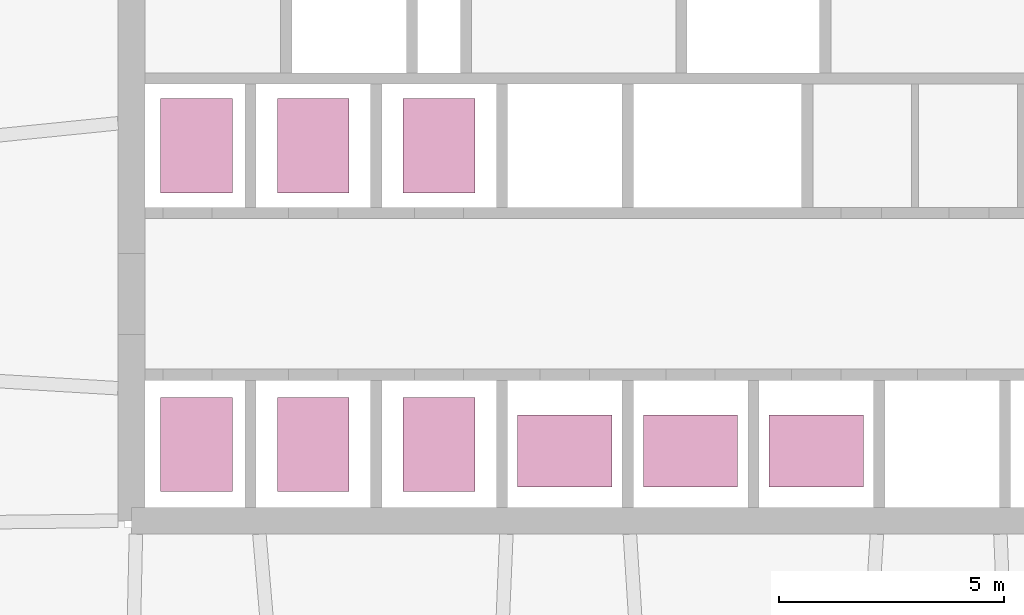
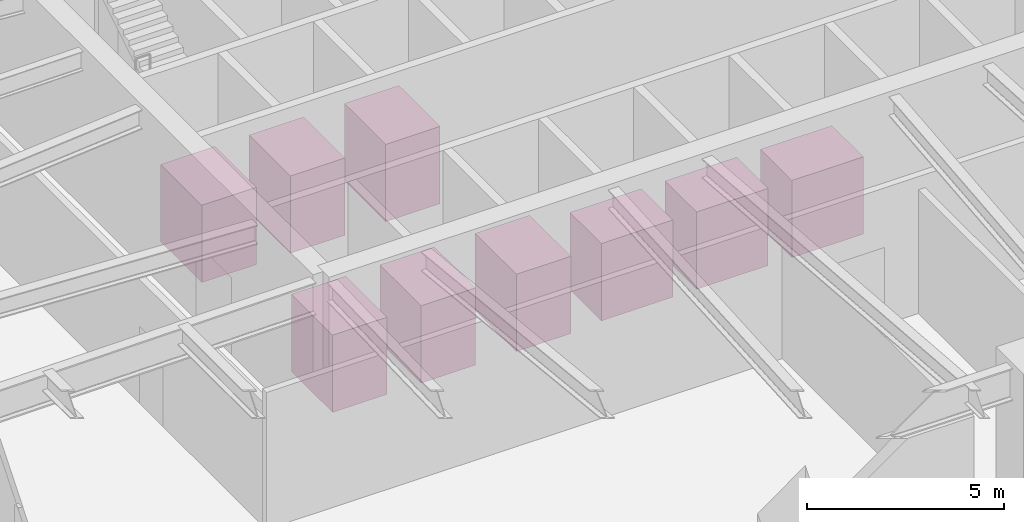
# One storey, part 11 of 11: 9 transport elements.
"""IFC4 building model written with IfcOpenShell, lengths in metres."""

from ifc_helpers import new_model, si_unit, direction, frame, origin, origin_2d, place, context, subcontext, project, spatial, rectangle, extrude, material, type_object, element, save


model = new_model("IFC4")

# Units and contexts
model_context = context("Model", 3, precision=1e-05, world=origin(), true_north=direction((0.0, 1.0)))
body_context = subcontext(model_context, "Body", "Model", "MODEL_VIEW")
ifc_project = project(units=[si_unit("LENGTHUNIT", "METRE"), si_unit("AREAUNIT", "SQUARE_METRE"), si_unit("VOLUMEUNIT", "CUBIC_METRE"), si_unit("PLANEANGLEUNIT", "RADIAN"), si_unit("MASSUNIT", "GRAM", prefix="KILO")], contexts=[model_context])

# Site, building, storey
site_placement = place(None, origin())
site = spatial("IfcSite", under=ifc_project, at=site_placement, CompositionType="ELEMENT")
building_placement = place(site_placement, origin())
building = spatial("IfcBuilding", under=site, at=building_placement, Name="Isbrekke Arena Tower", CompositionType="ELEMENT")
storey_placement = place(building_placement, frame((0.0, 0.0, 173.0)))
storey = spatial("IfcBuildingStorey", under=building, at=storey_placement, Name="L39", CompositionType="ELEMENT", Elevation=173.0)

# Transport elements
ifc_material_1 = material(Name="Steel lift car", Category="steel")
transport_element_type_1 = type_object("IfcTransportElementType", Name="LC LIFT CAR 1600 x 2100 1600 KG", PredefinedType="ELEVATOR", material=ifc_material_1)
for number, where, z_axis, x_axis, name in (
    (1, (-12.39990234375, 7.85009765625, 0.0), (0.0, 0.0, 1.0), (1.0, 0.0, 0.0), "LC1 high-rise passenger lifts"),
    (2, (-9.800048828125, 7.85009765625, 0.0), (0.0, 0.0, 1.0), (1.0, 0.0, 0.0), "LC2 high-rise passenger lifts"),
    (3, (-7.0, 7.85009765625, 0.0), (0.0, 0.0, 1.0), (1.0, 0.0, 0.0), "LC3 high-rise passenger lifts"),
    (4, (-12.39990234375, 14.5, 0.0), (0.0, 0.0, 1.0), (1.0, 0.0, 0.0), "LC4 high-rise passenger lifts"),
    (5, (-9.800048828125, 14.5, 0.0), (0.0, 0.0, 1.0), (1.0, 0.0, 0.0), "LC5 high-rise passenger lifts"),
    (6, (-7.0, 14.5, 0.0), (0.0, 0.0, 1.0), (1.0, 0.0, 0.0), "LC6 high-rise passenger lifts"),
):
    element("IfcTransportElement", number, at=place(storey_placement, frame(where, z_axis=z_axis, x_axis=x_axis)), inside=storey, type_object=transport_element_type_1, Name=name, PredefinedType="ELEVATOR", context=body_context, shape_type="SweptSolid", body=[
        extrude(rectangle(XDim=1.60009765625, YDim=2.10009765625, at=origin_2d()), origin(), (0.0, 0.0, 1.0), 2.39990234375),
    ])
ifc_material_2 = material(Name="Steel lift car", Category="steel")
transport_element_type_2 = type_object("IfcTransportElementType", Name="LE LIFT CAR 2100 x 1600 1600 KG", PredefinedType="ELEVATOR", material=ifc_material_2)
for number, where, z_axis, x_axis, name in (
    (7, (-4.199951171875, 7.699951171875, 0.0), (0.0, 0.0, 1.0), (1.0, 0.0, 0.0), "LE1 top-zone passenger lifts"),
    (8, (-1.39990234375, 7.699951171875, 0.0), (0.0, 0.0, 1.0), (1.0, 0.0, 0.0), "LE2 top-zone passenger lifts"),
    (9, (1.39990234375, 7.699951171875, 0.0), (0.0, 0.0, 1.0), (1.0, 0.0, 0.0), "LE3 top-zone passenger lifts"),
):
    element("IfcTransportElement", number, at=place(storey_placement, frame(where, z_axis=z_axis, x_axis=x_axis)), inside=storey, type_object=transport_element_type_2, Name=name, PredefinedType="ELEVATOR", context=body_context, shape_type="SweptSolid", body=[
        extrude(rectangle(XDim=2.10009765625, YDim=1.60009765625, at=origin_2d()), origin(), (0.0, 0.0, 1.0), 2.39990234375),
    ])

save(model, "model.ifc")
